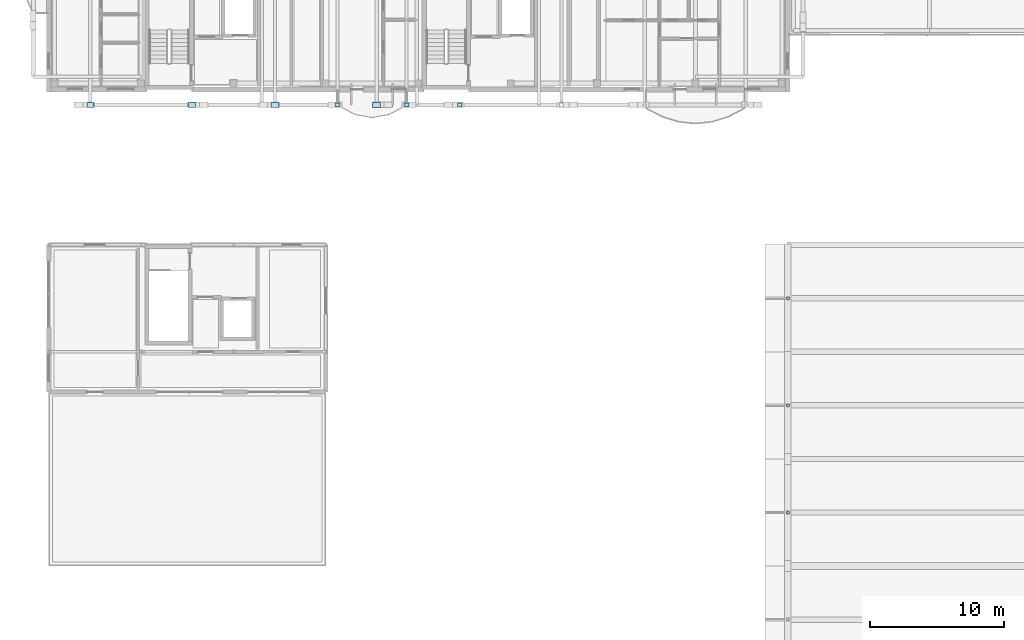
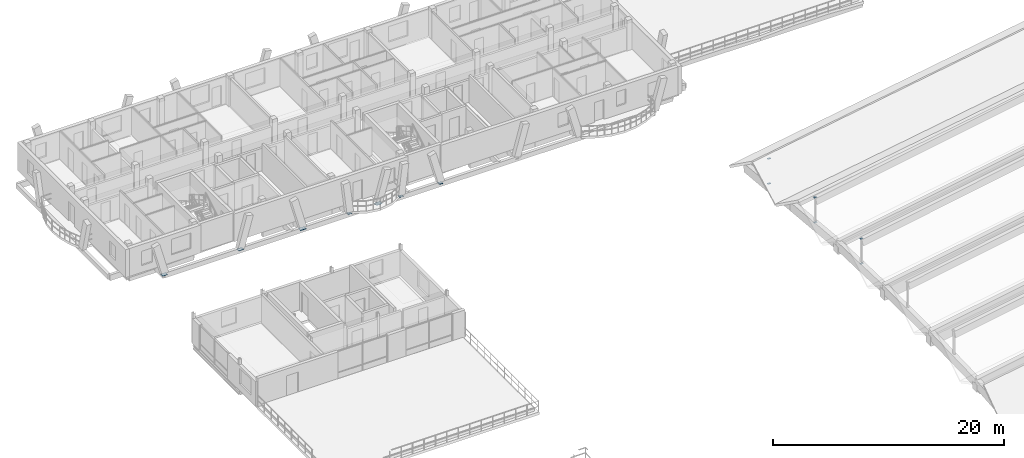
# One storey, part 59 of 109: 13 plates.
"""IFC4 building model written with IfcOpenShell, lengths in metres."""

from ifc_helpers import new_model, si_unit, direction, frame, origin, origin_2d, place, context, subcontext, project, spatial, rectangle, extrude, material, layer, layer_set, type_object, element, save


model = new_model("IFC4")

# Units and contexts
model_context = context("Model", 3, precision=1e-05, world=origin(), true_north=direction((0.0, 1.0)))
body_context = subcontext(model_context, "Body", "Model", "MODEL_VIEW")
ifc_project = project(units=[si_unit("LENGTHUNIT", "METRE"), si_unit("AREAUNIT", "SQUARE_METRE"), si_unit("VOLUMEUNIT", "CUBIC_METRE"), si_unit("PLANEANGLEUNIT", "RADIAN"), si_unit("MASSUNIT", "GRAM", prefix="KILO")], contexts=[model_context])

# Site, building, storey
site_placement = place(None, origin())
site = spatial("IfcSite", under=ifc_project, at=site_placement, CompositionType="ELEMENT")
building_placement = place(site_placement, origin())
building = spatial("IfcBuilding", under=site, at=building_placement, Name="Zavelmont Quarter", CompositionType="ELEMENT")
storey_placement = place(building_placement, frame((0.0, 0.0, 8.0)))
storey = spatial("IfcBuildingStorey", under=building, at=storey_placement, Name="L02", CompositionType="ELEMENT", Elevation=8.0)

# Plates
ifc_material = material(Name="Steel S355", Category="steel")
ifc_layer_1 = layer(ifc_material, 0.02001953125)
ifc_layer_set_1 = layer_set([ifc_layer_1], Name="Steel S355")
plate_type_1 = type_object("IfcPlateType", Name="NP01", PredefinedType="SHEET", material=ifc_layer_set_1)
for number, where, z_axis, x_axis, name in (
    (1, (55.199951171875, 66.0, 1.169921875), (0.0, 0.0, 1.0), (1.0, 0.0, 0.0), "L02 steel connection plate NP01 at 9/K"),
    (2, (55.199951171875, 66.0, 3.820068359375), (0.0, 0.0, 1.0), (1.0, 0.0, 0.0), "L02 steel connection plate NP01 at 9/K"),
    (3, (55.199951171875, 74.0, 0.669921875), (0.0, 0.0, 1.0), (1.0, 0.0, 0.0), "L02 steel connection plate NP01 at 9/L"),
    (4, (55.199951171875, 74.0, 3.320068359375), (0.0, 0.0, 1.0), (1.0, 0.0, 0.0), "L02 steel connection plate NP01 at 9/L"),
    (5, (55.199951171875, 82.0, -0.080078125), (0.0, 0.0, 1.0), (1.0, 0.0, 0.0), "L02 steel connection plate NP01 at 9/M"),
    (6, (55.199951171875, 82.0, 2.570068359375), (0.0, 0.0, 1.0), (1.0, 0.0, 0.0), "L02 steel connection plate NP01 at 9/M"),
):
    element("IfcPlate", number, at=place(storey_placement, frame(where, z_axis=z_axis, x_axis=x_axis)), inside=storey, type_object=plate_type_1, Name=name, PredefinedType="SHEET", context=body_context, shape_type="SweptSolid", body=[
        extrude(rectangle(XDim=0.280029296875, YDim=0.179931640625, at=origin_2d()), origin(), (0.0, 0.0, 1.0), 0.02001953125),
    ])
ifc_layer_2 = layer(ifc_material, 0.02392578125)
ifc_layer_set_2 = layer_set([ifc_layer_2], Name="Steel S355")
plate_type_2 = type_object("IfcPlateType", Name="NP02", PredefinedType="SHEET", material=ifc_layer_set_2)
for number, where, z_axis, x_axis, name in (
    (7, (21.572509765625, 96.43798828125, -0.2119140625), (0.0, 0.0, 1.0), (1.0, 0.0, 0.0), "L02 steel connection plate NP02 at 4/P"),
    (8, (26.7275390625, 96.43798828125, -0.2119140625), (0.0, 0.0, 1.0), (1.0, 0.0, 0.0), "L02 steel connection plate NP02 at 5/P"),
):
    element("IfcPlate", number, at=place(storey_placement, frame(where, z_axis=z_axis, x_axis=x_axis)), inside=storey, type_object=plate_type_2, Name=name, PredefinedType="SHEET", context=body_context, shape_type="SweptSolid", body=[
        extrude(rectangle(XDim=0.360107421875, YDim=0.260009765625, at=origin_2d()), origin(), (0.0, 0.0, 1.0), 0.02392578125),
    ])
ifc_layer_3 = layer(ifc_material, 0.028076171875)
ifc_layer_set_3 = layer_set([ifc_layer_3], Name="Steel S355")
plate_type_3 = type_object("IfcPlateType", Name="NP04", PredefinedType="SHEET", material=ifc_layer_set_3)
for number, where, z_axis, x_axis, name in (
    (9, (3.103759765625, 96.43798828125, -0.2138671875), (0.0, 0.0, 1.0), (1.0, 0.0, 0.0), "L02 steel connection plate NP04 at 1/P"),
    (10, (10.6962890625, 96.43798828125, -0.2138671875), (0.0, 0.0, 1.0), (1.0, 0.0, 0.0), "L02 steel connection plate NP04 at 3/P"),
):
    element("IfcPlate", number, at=place(storey_placement, frame(where, z_axis=z_axis, x_axis=x_axis)), inside=storey, type_object=plate_type_3, Name=name, PredefinedType="SHEET", context=body_context, shape_type="SweptSolid", body=[
        extrude(rectangle(XDim=0.52001953125, YDim=0.360107421875, at=origin_2d()), origin(), (0.0, 0.0, 1.0), 0.028076171875),
    ])
ifc_layer_4 = layer(ifc_material, 0.030029296875)
ifc_layer_set_4 = layer_set([ifc_layer_4], Name="Steel S355")
plate_type_4 = type_object("IfcPlateType", Name="NP05", PredefinedType="SHEET", material=ifc_layer_set_4)
for number, where, z_axis, x_axis, name in (
    (11, (16.90380859375, 96.43798828125, -0.21484375), (0.0, 0.0, 1.0), (1.0, 0.0, 0.0), "L02 steel connection plate NP05 at 3/P"),
    (12, (24.49609375, 96.43798828125, -0.21484375), (0.0, 0.0, 1.0), (1.0, 0.0, 0.0), "L02 steel connection plate NP05 at 5/P"),
):
    element("IfcPlate", number, at=place(storey_placement, frame(where, z_axis=z_axis, x_axis=x_axis)), inside=storey, type_object=plate_type_4, Name=name, PredefinedType="SHEET", context=body_context, shape_type="SweptSolid", body=[
        extrude(rectangle(XDim=0.60009765625, YDim=0.39990234375, at=origin_2d()), origin(), (0.0, 0.0, 1.0), 0.030029296875),
    ])
ifc_layer_5 = layer(ifc_material, 0.02197265625)
ifc_layer_set_5 = layer_set([ifc_layer_5], Name="Steel S355")
plate_type_5 = type_object("IfcPlateType", Name="NP06", PredefinedType="SHEET", material=ifc_layer_set_5)
plate_placement = place(storey_placement, frame((30.703857421875, 96.43798828125, -0.2109375), z_axis=(0.0, 0.0, 1.0), x_axis=(1.0, 0.0, 0.0)))
element("IfcPlate", 13, at=plate_placement, inside=storey, type_object=plate_type_5, Name="L02 steel connection plate NP06 at 5/P", PredefinedType="SHEET", context=body_context, shape_type="SweptSolid", body=[
    extrude(rectangle(XDim=0.320068359375, YDim=0.320068359375, at=origin_2d()), origin(), (0.0, 0.0, 1.0), 0.02197265625),
])

save(model, "model.ifc")
